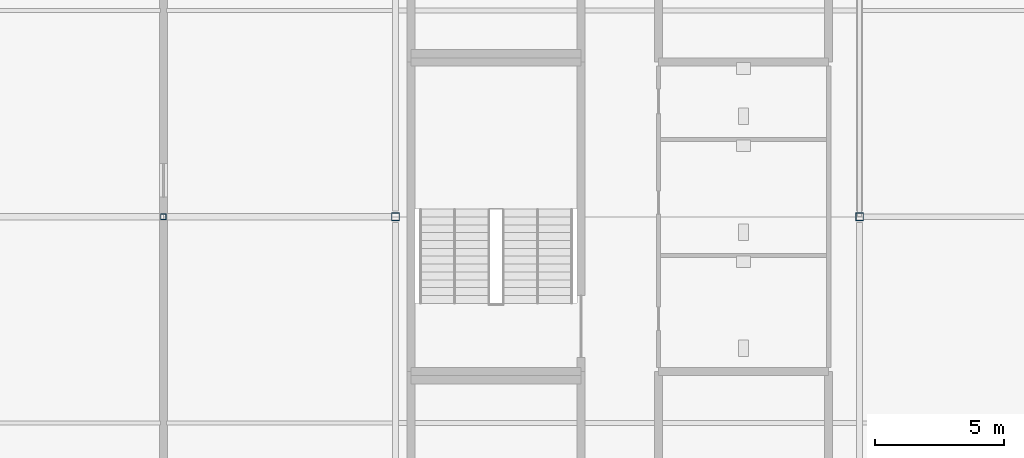
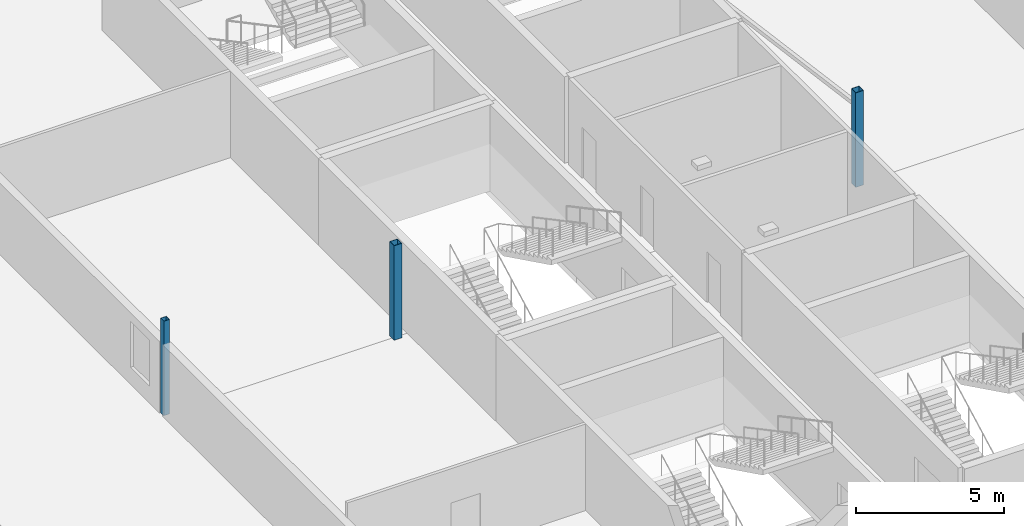
# One storey, part 13 of 55: 3 columns.
"""IFC4 building model written with IfcOpenShell, lengths in metres."""

from ifc_helpers import new_model, si_unit, direction, frame, origin, origin_2d, place, context, subcontext, project, spatial, hollow_rectangle, extrude, material, material_profile, profile_set, type_object, element, save


model = new_model("IFC4")

# Units and contexts
model_context = context("Model", 3, precision=1e-05, world=origin(), true_north=direction((0.0, 1.0)))
body_context = subcontext(model_context, "Body", "Model", "MODEL_VIEW")
ifc_project = project(units=[si_unit("LENGTHUNIT", "METRE"), si_unit("AREAUNIT", "SQUARE_METRE"), si_unit("VOLUMEUNIT", "CUBIC_METRE"), si_unit("PLANEANGLEUNIT", "RADIAN"), si_unit("MASSUNIT", "GRAM", prefix="KILO")], contexts=[model_context])

# Site, building, storey
site_placement = place(None, origin())
site = spatial("IfcSite", under=ifc_project, at=site_placement, CompositionType="ELEMENT")
building_placement = place(site_placement, origin())
building = spatial("IfcBuilding", under=site, at=building_placement, Name="Kisiwana Market Hall", CompositionType="ELEMENT")
storey_placement = place(building_placement, frame((0.0, 0.0, 37.800048828125)))
storey = spatial("IfcBuildingStorey", under=building, at=storey_placement, Name="L08", CompositionType="ELEMENT", Elevation=37.800048828125)

# Columns
ifc_material_1 = material(Name="Steel S355", Category="steel")
ifc_material_profile_1 = material_profile(ifc_material_1, hollow_rectangle(XDim=0.219970703125, YDim=0.219970703125, WallThickness=0.010009765625, at=origin_2d()), Name="SHS 220x220x10")
ifc_profile_set_1 = profile_set([ifc_material_profile_1], Name="Steel S355")
column_type_1 = type_object("IfcColumnType", Name="COL-STL-SHS220", PredefinedType="COLUMN", material=ifc_profile_set_1)
column_placement = place(storey_placement, frame((162.0, 60.0, 0.0), z_axis=(0.0, 0.0, 1.0), x_axis=(1.0, 0.0, 0.0)))
element("IfcColumn", 1, at=column_placement, inside=storey, type_object=column_type_1, Name="Column H/19 (L08) C-1152", PredefinedType="COLUMN", context=body_context, shape_type="SweptSolid", body=[
    extrude(hollow_rectangle(XDim=0.219970703125, YDim=0.219970703125, WallThickness=0.010009765625, at=origin_2d()), origin(), (0.0, 0.0, 1.0), 3.89990234375),
])
ifc_material_2 = material(Name="Steel S355", Category="steel")
ifc_material_profile_2 = material_profile(ifc_material_2, hollow_rectangle(XDim=0.300048828125, YDim=0.300048828125, WallThickness=0.012451171875, at=origin_2d()), Name="SHS 300x300x12.5")
ifc_profile_set_2 = profile_set([ifc_material_profile_2], Name="Steel S355")
column_type_2 = type_object("IfcColumnType", Name="COL-STL-SHS300", PredefinedType="COLUMN", material=ifc_profile_set_2)
for number, where, z_axis, x_axis, name in (
    (2, (171.0, 60.0, 0.0), (0.0, 0.0, 1.0), (1.0, 0.0, 0.0), "Column H/20 (L08) C-1189"),
    (3, (189.0, 60.0, 0.0), (0.0, 0.0, 1.0), (1.0, 0.0, 0.0), "Column H/22 (L08) C-1153"),
):
    element("IfcColumn", number, at=place(storey_placement, frame(where, z_axis=z_axis, x_axis=x_axis)), inside=storey, type_object=column_type_2, Name=name, PredefinedType="COLUMN", context=body_context, shape_type="SweptSolid", body=[
        extrude(hollow_rectangle(XDim=0.300048828125, YDim=0.300048828125, WallThickness=0.012451171875, at=origin_2d()), origin(), (0.0, 0.0, 1.0), 3.89990234375),
    ])

save(model, "model.ifc")
